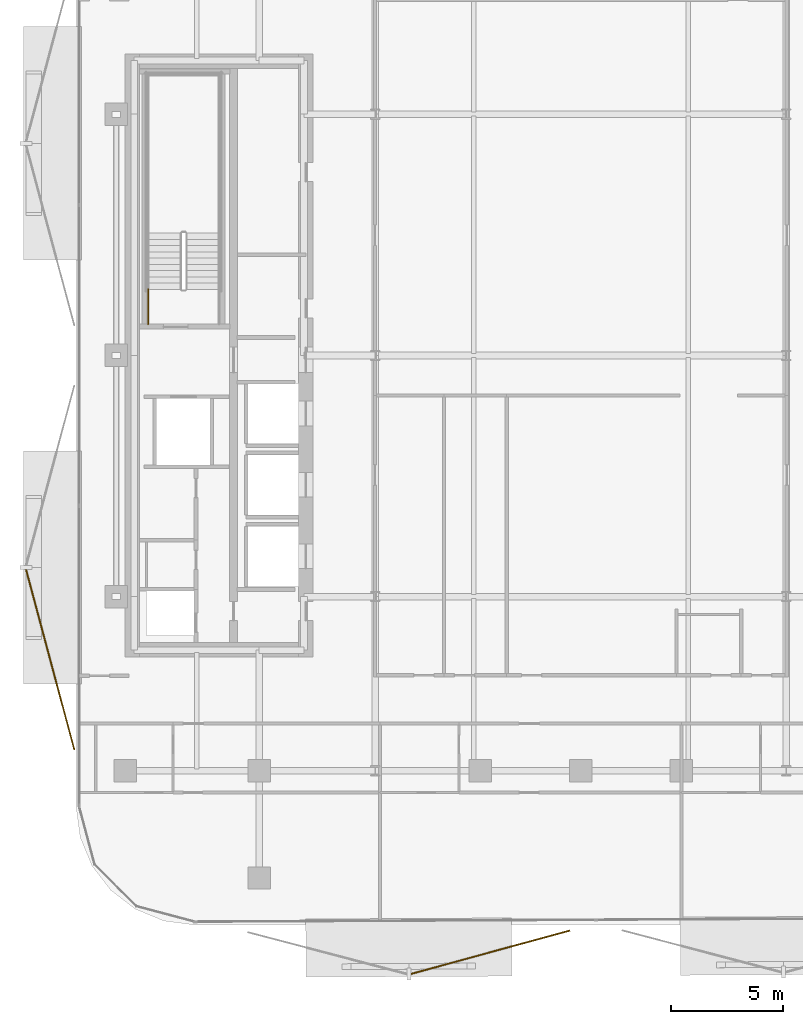
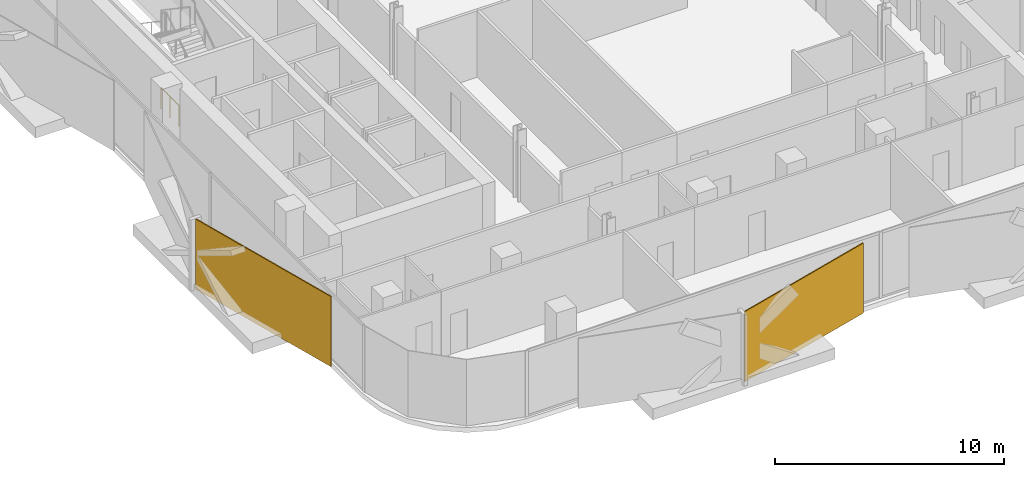
# One storey, part 13 of 17: 2 coverings, 1 railing.
"""IFC4 building model written with IfcOpenShell, lengths in metres."""

from ifc_helpers import new_model, si_unit, direction, frame, origin, origin_2d, place, context, subcontext, project, spatial, rectangle, circle, extrude, material, layer, layer_set, type_object, element, save


model = new_model("IFC4")

# Units and contexts
model_context = context("Model", 3, precision=1e-05, world=origin(), true_north=direction((0.0, 1.0)))
body_context = subcontext(model_context, "Body", "Model", "MODEL_VIEW")
ifc_project = project(units=[si_unit("LENGTHUNIT", "METRE"), si_unit("AREAUNIT", "SQUARE_METRE"), si_unit("VOLUMEUNIT", "CUBIC_METRE"), si_unit("PLANEANGLEUNIT", "RADIAN"), si_unit("MASSUNIT", "GRAM", prefix="KILO")], contexts=[model_context])

# Site, building, storey
site_placement = place(None, origin())
site = spatial("IfcSite", under=ifc_project, at=site_placement, CompositionType="ELEMENT")
building_placement = place(site_placement, origin())
building = spatial("IfcBuilding", under=site, at=building_placement, Name="Khairoan Windgate Tower", CompositionType="ELEMENT")
storey_placement = place(building_placement, frame((0.0, 0.0, 199.199951171875)))
storey = spatial("IfcBuildingStorey", under=building, at=storey_placement, Name="L46", CompositionType="ELEMENT", Elevation=199.199951171875)

# Coverings
ifc_material_1 = material(Name="Anodised Bronze Aluminium 6063-T6", Category="aluminium")
ifc_layer = layer(ifc_material_1, 0.054931640625, Name="Anodised Bronze Aluminium 6063-T6")
ifc_layer_set = layer_set([ifc_layer], Name="Anodised Bronze Aluminium 6063-T6")
covering_type = type_object("IfcCoveringType", Name="Perforated Bronze-Ceramic Folded Solar Screen Cladding BSC-1", PredefinedType="CLADDING", material=ifc_layer_set)
covering_1_placement = place(storey_placement, frame((-4.050048828125, -26.72021484375, -0.10009765625), z_axis=(0.0, 0.0, 1.0), x_axis=(-0.964649468762, -0.263536339841, 0.0)))
element("IfcCovering", 1, at=covering_1_placement, inside=storey, type_object=covering_type, Name="L46 Folded Bronze Solar Screen Facet 306L", PredefinedType="CLADDING", context=body_context, shape_type="SweptSolid", body=[
    extrude(rectangle(XDim=7.3759765625, YDim=0.054931640625, at=origin_2d()), origin(), (0.0, 0.0, 1.0), 3.739990234375),
])
covering_2_placement = place(storey_placement, frame((-23.7587890625, -13.62109375, -0.10009765625), z_axis=(0.0, 0.0, 1.0), x_axis=(-0.258819045103, 0.965925826289, 0.0)))
element("IfcCovering", 2, at=covering_2_placement, inside=storey, type_object=covering_type, Name="L46 Folded Bronze Solar Screen Facet 307L", PredefinedType="CLADDING", context=body_context, shape_type="SweptSolid", body=[
    extrude(rectangle(XDim=8.35595703125, YDim=0.054931640625, at=origin_2d()), origin(), (0.0, 0.0, 1.0), 3.739990234375),
])

# Railing
ifc_material_2 = material(Name="Steel S355", Category="steel")
railing_type = type_object("IfcRailingType", Name="Stairwell Safety Guardrail SGR-1150", PredefinedType="GUARDRAIL", material=ifc_material_2)
railing_placement = place(storey_placement, frame((-19.3701171875, 1.39990234375, 0.0)))
element("IfcRailing", 3, at=railing_placement, inside=storey, type_object=railing_type, Name="L46 ST2 stair guard 9", PredefinedType="GUARDRAIL", context=body_context, shape_type="SweptSolid", body=[
    extrude(circle(Radius=0.02392578125, at=origin_2d()), frame((0.0, 0.0, 1.1259765625), z_axis=(0.0, 1.0, 0.0), x_axis=(-1.0, 0.0, 0.0)), (0.0, 0.0, 1.0), 1.56005859375),
    extrude(circle(Radius=0.02099609375, at=origin_2d()), origin(), (0.0, 0.0, 1.0), 1.101806640625),
    extrude(circle(Radius=0.02099609375, at=origin_2d()), frame((0.0, 0.780029296875, 0.0)), (0.0, 0.0, 1.0), 1.101806640625),
    extrude(circle(Radius=0.02099609375, at=origin_2d()), frame((0.0, 1.56005859375, 0.0)), (0.0, 0.0, 1.0), 1.101806640625),
])

save(model, "model.ifc")
